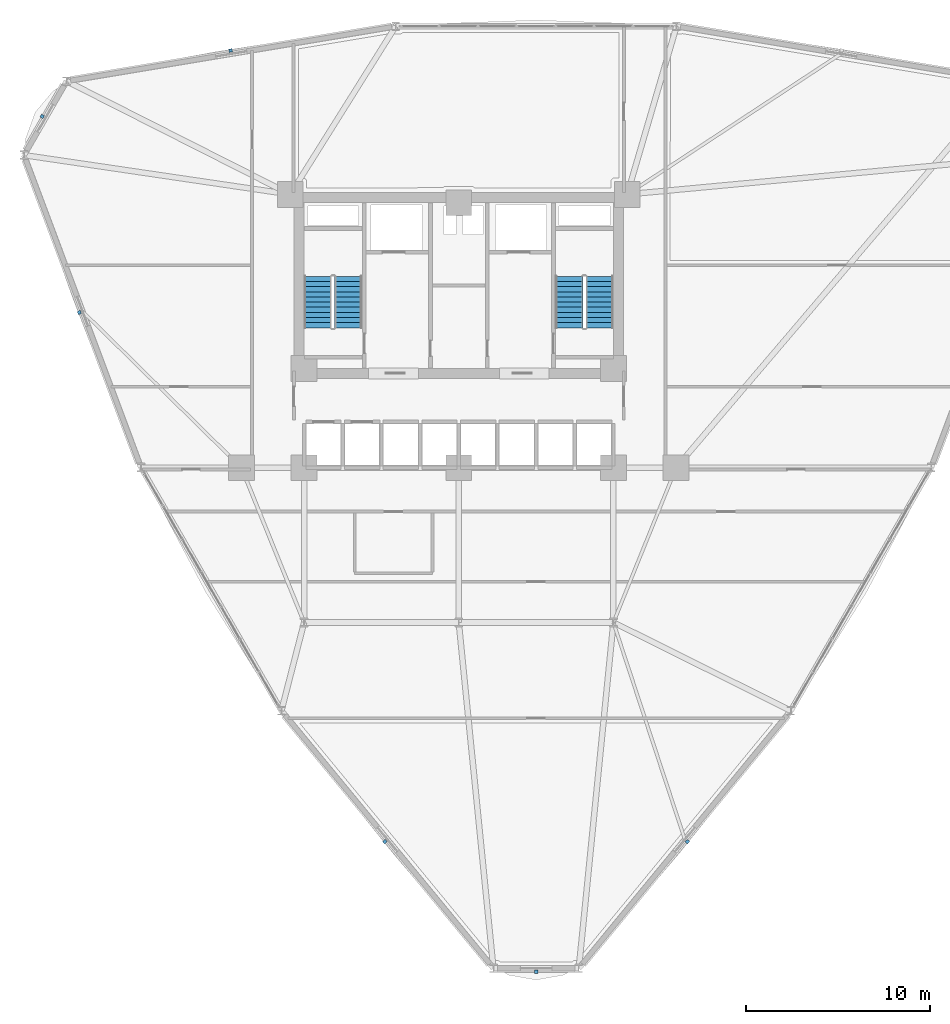
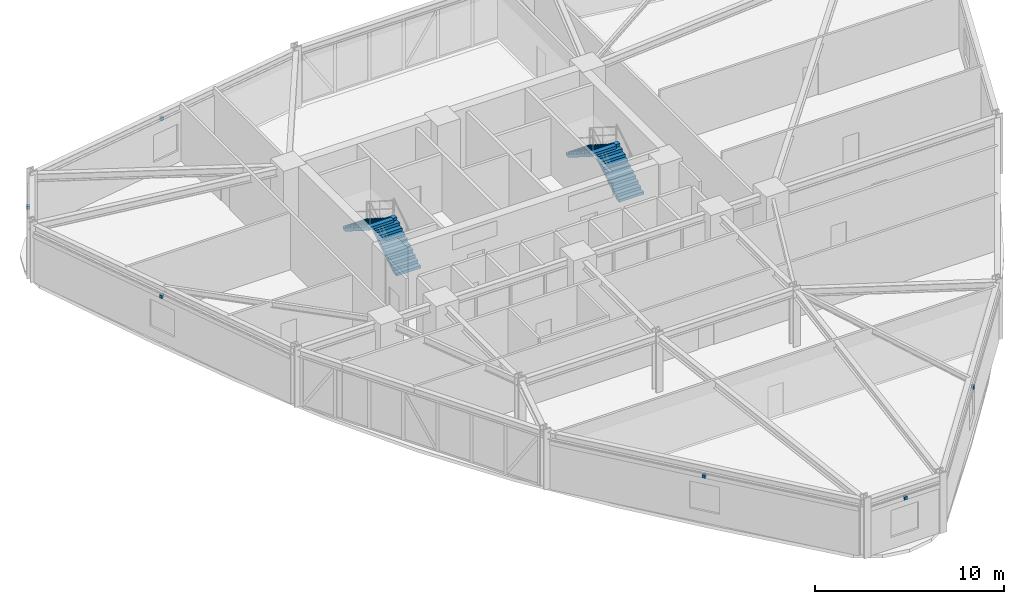
# One storey, part 16 of 20: 6 discrete accessories, 4 stair flights, 2 elements without a shape of their own.
"""IFC4 building model written with IfcOpenShell, lengths in metres."""

from ifc_helpers import new_model, si_unit, derived_unit, direction, frame, origin, origin_2d, place, context, subcontext, project, spatial, polyline, rectangle, outline, extrude, source, transform, mapped, material, type_object, element, aggregate, save


model = new_model("IFC4")

# Units and contexts
model_context = context("Model", 3, precision=1e-05, world=origin(), true_north=direction((0.0, 1.0)))
body_context = subcontext(model_context, "Body", "Model", "MODEL_VIEW")
ifc_project = project(units=[si_unit("LENGTHUNIT", "METRE"), si_unit("AREAUNIT", "SQUARE_METRE"), si_unit("VOLUMEUNIT", "CUBIC_METRE"), si_unit("PLANEANGLEUNIT", "RADIAN"), si_unit("MASSUNIT", "GRAM", prefix="KILO"), derived_unit("THERMALTRANSMITTANCEUNIT", [(si_unit("POWERUNIT", "WATT"), 1), (si_unit("LENGTHUNIT", "METRE"), -2), (si_unit("THERMODYNAMICTEMPERATUREUNIT", "KELVIN"), -1)])], contexts=[model_context])

# Site, building, storey
site_placement = place(None, origin())
site = spatial("IfcSite", under=ifc_project, at=site_placement, CompositionType="ELEMENT")
building_placement = place(site_placement, origin())
building = spatial("IfcBuilding", under=site, at=building_placement, Name="Korsvarv Bourse and Concert Hall", CompositionType="ELEMENT")
storey_placement = place(building_placement, frame((0.0, 0.0, 67.800048828125)))
storey = spatial("IfcBuildingStorey", under=building, at=storey_placement, Name="L16", CompositionType="ELEMENT", Elevation=67.800048828125)

# Stair, stair flights
ifc_material_1 = material(Name="Precast concrete C45/55", Category="concrete")
stair_type = type_object("IfcStairType", Name="STR-TYPE-03", PredefinedType="HALF_TURN_STAIR", material=ifc_material_1)
stair_1_placement = place(storey_placement, origin())
stair_1 = element("IfcStair", 1, at=stair_1_placement, inside=storey, type_object=stair_type, Name="L16 Tower West Exit Stair ST-T1", PredefinedType="HALF_TURN_STAIR")
stair_flight_type = type_object("IfcStairFlightType", Name="FLT-TYPE-03", PredefinedType="STRAIGHT", material=ifc_material_1)
stair_flight_1_placement = place(storey_placement, frame((30.010009765625, 40.0, 0.0), z_axis=(0.0, 0.0, 1.0), x_axis=(0.0, 1.0, 0.0)))
stair_flight_1 = element("IfcStairFlight", 2, at=stair_flight_1_placement, type_object=stair_flight_type, Name="ST-T1 flight 1", NumberOfRisers=11, NumberOfTreads=10, PredefinedType="STRAIGHT", RiserHeight=0.177272727, TreadLength=0.28, context=body_context, shape_type="SweptSolid", body=[
    extrude(outline(polyline([(0.0, 0.0), (0.0, 0.17724609375), (0.280029296875, 0.17724609375), (0.280029296875, 0.3544921875), (0.56005859375, 0.3544921875), (0.56005859375, 0.53173828125), (0.840087890625, 0.53173828125), (0.840087890625, 0.708984375), (1.1201171875, 0.708984375), (1.1201171875, 0.886474609375), (1.39990234375, 0.886474609375), (1.39990234375, 1.063720703125), (1.679931640625, 1.063720703125), (1.679931640625, 1.240966796875), (1.9599609375, 1.240966796875), (1.9599609375, 1.418212890625), (2.239990234375, 1.418212890625), (2.239990234375, 1.595458984375), (2.52001953125, 1.595458984375), (2.52001953125, 1.772705078125), (2.800048828125, 1.772705078125), (2.800048828125, 1.949951171875), (2.800048828125, 1.59521484375), (0.2802734375, 0.0), (0.0, 0.0)])), frame((0.0, 0.75, 0.0), z_axis=(0.0, -1.0, 0.0), x_axis=(1.0, 0.0, 0.0)), (0.0, 0.0, 1.0), 1.5),
])
stair_flight_2_placement = place(storey_placement, frame((28.35009765625, 42.800048828125, 1.949951171875), z_axis=(0.0, 0.0, 1.0), x_axis=(0.0, -1.0, 0.0)))
stair_flight_2 = element("IfcStairFlight", 3, at=stair_flight_2_placement, type_object=stair_flight_type, Name="ST-T1 flight 2", NumberOfRisers=11, NumberOfTreads=10, PredefinedType="STRAIGHT", RiserHeight=0.177272727, TreadLength=0.28, context=body_context, shape_type="SweptSolid", body=[
    extrude(outline(polyline([(0.0, 0.0), (0.0, 0.17724609375), (0.280029296875, 0.17724609375), (0.280029296875, 0.3544921875), (0.56005859375, 0.3544921875), (0.56005859375, 0.53173828125), (0.840087890625, 0.53173828125), (0.840087890625, 0.708984375), (1.1201171875, 0.708984375), (1.1201171875, 0.886474609375), (1.39990234375, 0.886474609375), (1.39990234375, 1.063720703125), (1.679931640625, 1.063720703125), (1.679931640625, 1.240966796875), (1.9599609375, 1.240966796875), (1.9599609375, 1.418212890625), (2.239990234375, 1.418212890625), (2.239990234375, 1.595458984375), (2.52001953125, 1.595458984375), (2.52001953125, 1.772705078125), (2.800048828125, 1.772705078125), (2.800048828125, 1.949951171875), (2.800048828125, 1.59521484375), (0.2802734375, 0.0), (0.0, 0.0)])), frame((0.0, 0.75, 0.0), z_axis=(0.0, -1.0, 0.0), x_axis=(1.0, 0.0, 0.0)), (0.0, 0.0, 1.0), 1.5),
])
aggregate(stair_1, [stair_flight_1, stair_flight_2])

stair_2_placement = place(storey_placement, origin())
stair_2 = element("IfcStair", 4, at=stair_2_placement, inside=storey, type_object=stair_type, Name="L16 Tower East Exit Stair ST-T2", PredefinedType="HALF_TURN_STAIR")
stair_flight_3_placement = place(storey_placement, frame((43.64990234375, 40.0, 0.0), z_axis=(0.0, 0.0, 1.0), x_axis=(0.0, 1.0, 0.0)))
stair_flight_3 = element("IfcStairFlight", 5, at=stair_flight_3_placement, type_object=stair_flight_type, Name="ST-T2 flight 1", NumberOfRisers=11, NumberOfTreads=10, PredefinedType="STRAIGHT", RiserHeight=0.177272727, TreadLength=0.28, context=body_context, shape_type="SweptSolid", body=[
    extrude(outline(polyline([(0.0, 0.0), (0.0, 0.17724609375), (0.280029296875, 0.17724609375), (0.280029296875, 0.3544921875), (0.56005859375, 0.3544921875), (0.56005859375, 0.53173828125), (0.840087890625, 0.53173828125), (0.840087890625, 0.708984375), (1.1201171875, 0.708984375), (1.1201171875, 0.886474609375), (1.39990234375, 0.886474609375), (1.39990234375, 1.063720703125), (1.679931640625, 1.063720703125), (1.679931640625, 1.240966796875), (1.9599609375, 1.240966796875), (1.9599609375, 1.418212890625), (2.239990234375, 1.418212890625), (2.239990234375, 1.595458984375), (2.52001953125, 1.595458984375), (2.52001953125, 1.772705078125), (2.800048828125, 1.772705078125), (2.800048828125, 1.949951171875), (2.800048828125, 1.59521484375), (0.2802734375, 0.0), (0.0, 0.0)])), frame((0.0, 0.75, 0.0), z_axis=(0.0, -1.0, 0.0), x_axis=(1.0, 0.0, 0.0)), (0.0, 0.0, 1.0), 1.5),
])
stair_flight_4_placement = place(storey_placement, frame((41.989990234375, 42.800048828125, 1.949951171875), z_axis=(0.0, 0.0, 1.0), x_axis=(0.0, -1.0, 0.0)))
stair_flight_4 = element("IfcStairFlight", 6, at=stair_flight_4_placement, type_object=stair_flight_type, Name="ST-T2 flight 2", NumberOfRisers=11, NumberOfTreads=10, PredefinedType="STRAIGHT", RiserHeight=0.177272727, TreadLength=0.28, context=body_context, shape_type="SweptSolid", body=[
    extrude(outline(polyline([(0.0, 0.0), (0.0, 0.17724609375), (0.280029296875, 0.17724609375), (0.280029296875, 0.3544921875), (0.56005859375, 0.3544921875), (0.56005859375, 0.53173828125), (0.840087890625, 0.53173828125), (0.840087890625, 0.708984375), (1.1201171875, 0.708984375), (1.1201171875, 0.886474609375), (1.39990234375, 0.886474609375), (1.39990234375, 1.063720703125), (1.679931640625, 1.063720703125), (1.679931640625, 1.240966796875), (1.9599609375, 1.240966796875), (1.9599609375, 1.418212890625), (2.239990234375, 1.418212890625), (2.239990234375, 1.595458984375), (2.52001953125, 1.595458984375), (2.52001953125, 1.772705078125), (2.800048828125, 1.772705078125), (2.800048828125, 1.949951171875), (2.800048828125, 1.59521484375), (0.2802734375, 0.0), (0.0, 0.0)])), frame((0.0, 0.75, 0.0), z_axis=(0.0, -1.0, 0.0), x_axis=(1.0, 0.0, 0.0)), (0.0, 0.0, 1.0), 1.5),
])
aggregate(stair_2, [stair_flight_3, stair_flight_4])

# Discrete accessories
ifc_material_2 = material(Name="Stainless Steel S355 facade outrigger bracket", Category="steel")
discrete_accessory_type = type_object("IfcDiscreteAccessoryType", Name="ACC-BRK-1", PredefinedType="BRACKET", material=ifc_material_2)
shared_shape = source(origin(), body_context, "Body", "SweptSolid", [
    extrude(rectangle(XDim=0.179931640625, YDim=0.179931640625, at=origin_2d()), origin(), (0.0, 0.0, 1.0), 0.199951171875),
])
for number, where, z_axis, x_axis, name in (
    (7, (23.608154296875, 55.0654296875, 2.97021484375), (0.0, 0.0, 1.0), (-0.986400586142, -0.164359008451, 0.0), "L16 terracotta sunshade bracket EW-L16-B04"),
    (8, (13.37841796875, 51.485595703125, 2.97021484375), (0.0, 0.0, 1.0), (-0.5, -0.866025403784, 0.0), "L16 terracotta sunshade bracket EW-L16-B05"),
    (9, (15.39306640625, 40.836181640625, 2.97021484375), (0.0, 0.0, 1.0), (0.350861216412, -0.936427470132, 0.0), "L16 terracotta sunshade bracket EW-L16-B06"),
    (10, (31.98486328125, 12.098388671875, 2.97021484375), (0.0, 0.0, 1.0), (0.63553936973, -0.772068461681, 0.0), "L16 terracotta sunshade bracket EW-L16-B08"),
    (11, (40.199951171875, 5.029052734375, 2.97021484375), (0.0, 0.0, 1.0), (1.0, 0.0, 0.0), "L16 terracotta sunshade bracket EW-L16-B09"),
    (12, (48.415283203125, 12.098388671875, 2.97021484375), (0.0, 0.0, 1.0), (0.63553936973, 0.772068461681, 0.0), "L16 terracotta sunshade bracket EW-L16-B10"),
):
    element("IfcDiscreteAccessory", number, at=place(storey_placement, frame(where, z_axis=z_axis, x_axis=x_axis)), inside=storey, type_object=discrete_accessory_type, Name=name, PredefinedType="BRACKET", context=body_context, shape_type="MappedRepresentation", body=[
        mapped(shared_shape, transform((0.0, 0.0, 0.0), scale=1.0)),
    ])

save(model, "model.ifc")
